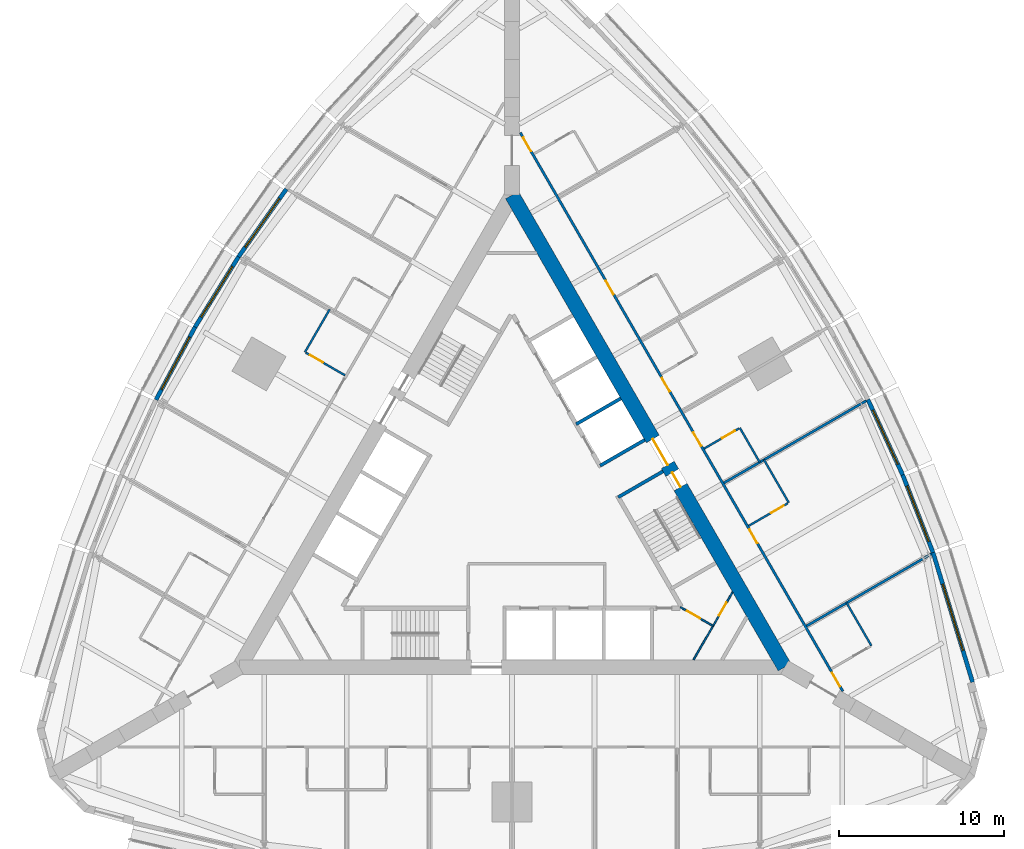
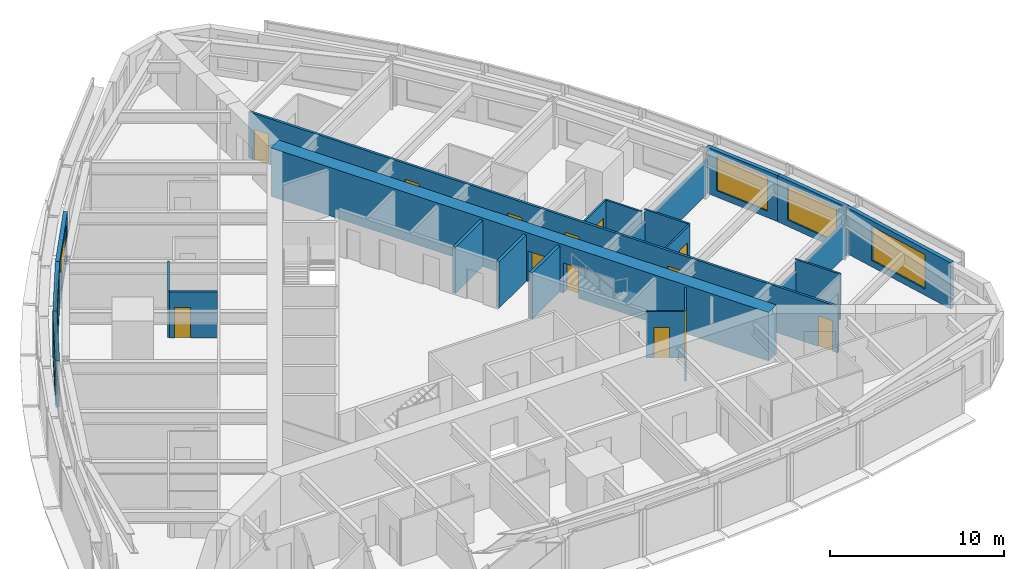
# One storey, part 11 of 14: 22 walls, 13 doors, 6 windows, 19 openings.
"""IFC4 building model written with IfcOpenShell, lengths in metres."""

from ifc_helpers import new_model, si_unit, direction, frame, frame_2d, origin, place, context, subcontext, project, spatial, rectangle, extrude, material, layer, layer_set, type_object, element, fill, save


model = new_model("IFC4")

# Units and contexts
model_context = context("Model", 3, precision=1e-05, world=origin(), true_north=direction((0.0, 1.0)))
body_context = subcontext(model_context, "Body", "Model", "MODEL_VIEW")
ifc_project = project(units=[si_unit("LENGTHUNIT", "METRE"), si_unit("AREAUNIT", "SQUARE_METRE"), si_unit("VOLUMEUNIT", "CUBIC_METRE"), si_unit("PLANEANGLEUNIT", "RADIAN"), si_unit("MASSUNIT", "GRAM", prefix="KILO")], contexts=[model_context])

# Site, building, storey
site_placement = place(None, origin())
site = spatial("IfcSite", under=ifc_project, at=site_placement, CompositionType="ELEMENT")
building_placement = place(site_placement, origin())
building = spatial("IfcBuilding", under=site, at=building_placement, Name="Trikona Tower", CompositionType="ELEMENT")
storey_placement = place(building_placement, frame((0.0, 0.0, 59.10009765625)))
storey = spatial("IfcBuildingStorey", under=building, at=storey_placement, Name="L14", CompositionType="ELEMENT", Elevation=59.10009765625)

# Walls
ifc_material_1 = material(Name="Metal stud and cement board", Category="gypsum")
ifc_layer_1 = layer(ifc_material_1, 0.1201171875)
ifc_layer_set_1 = layer_set([ifc_layer_1], Name="Bathroom wall 120")
wall_type_1 = type_object("IfcWallType", Name="Bathroom wall 120", PredefinedType="PLUMBINGWALL", material=ifc_layer_set_1)
for number, where, z_axis, x_axis, name in (
    (1, (21.75341796875, -8.225341796875, 0.0), (0.0, 0.0, 1.0), (-0.499990139034, 0.866031096941, 0.0), "Bathroom wall 1407"),
    (2, (16.75341796875, 0.434814453125, 0.0), (0.0, 0.0, 1.0), (-0.499990139034, 0.866031096941, 0.0), "Bathroom wall 1408"),
):
    element("IfcWall", number, at=place(storey_placement, frame(where, z_axis=z_axis, x_axis=x_axis)), inside=storey, type_object=wall_type_1, Name=name, PredefinedType="PLUMBINGWALL", context=body_context, shape_type="SweptSolid", body=[
        extrude(rectangle(XDim=3.0, YDim=0.1201171875, at=frame_2d((1.5, 0.0))), origin(), (0.0, 0.0, 1.0), 3.23486328125),
    ])

# Wall, opening, door
wall_1_placement = place(storey_placement, frame((14.32861328125, -0.965087890625, 0.0), z_axis=(0.0, 0.0, 1.0), x_axis=(0.866035715982, 0.499982138324, 0.0)))
wall_1 = element("IfcWall", 3, at=wall_1_placement, inside=storey, type_object=wall_type_1, Name="Bathroom wall 1408", PredefinedType="PLUMBINGWALL", context=body_context, shape_type="SweptSolid", body=[
    extrude(rectangle(XDim=2.73974609375, YDim=0.1201171875, at=frame_2d((1.369873046875, 0.0))), origin(), (0.0, 0.0, 1.0), 3.23486328125),
])
opening_1_placement = place(wall_1_placement, frame((1.550048828125, 0.0, 0.0)))
opening_1 = element("IfcOpeningElement", 4, at=opening_1_placement, cuts=wall_1, Name="Opening D2", PredefinedType="OPENING", context=body_context, shape_type="SweptSolid", body=[
    extrude(rectangle(XDim=0.89990234375, YDim=2.1298828125, at=frame_2d((0.449951171875, 1.06494140625))), frame((0.0, 0.070068359375, 0.0), z_axis=(0.0, -1.0, 0.0), x_axis=(1.0, 0.0, 0.0)), (0.0, 0.0, 1.0), 0.14013671875),
])
ifc_material_2 = material(Name="Steel door frame with solid-core timber leaf", Category="steel")
door_type_1 = type_object("IfcDoorType", Name="Bathroom door 900x2130", OperationType="SLIDING_TO_LEFT", PredefinedType="DOOR", material=ifc_material_2)
door_1_placement = place(opening_1_placement, origin())
door_1 = element("IfcDoor", 5, at=door_1_placement, inside=storey, type_object=door_type_1, Name="Bathroom door 1408", OperationType="SLIDING_TO_LEFT", OverallHeight=2.1298828125, OverallWidth=0.89990234375, PredefinedType="DOOR", context=body_context, shape_type="SweptSolid", body=[
    extrude(rectangle(XDim=0.89990234375, YDim=2.1298828125, at=frame_2d((0.449951171875, 1.06494140625))), frame((0.0, 0.02490234375, 0.0), z_axis=(0.0, -1.0, 0.0), x_axis=(1.0, 0.0, 0.0)), (0.0, 0.0, 1.0), 0.050048828125),
])
fill(opening_1, door_1)

# Wall
wall_2_placement = place(storey_placement, frame((14.993408203125, 2.883056640625, 0.0), z_axis=(0.0, 0.0, 1.0), x_axis=(-0.500001309137, 0.866024647952, 0.0)))
element("IfcWall", 6, at=wall_2_placement, inside=storey, type_object=wall_type_1, Name="Bathroom wall 1409", PredefinedType="PLUMBINGWALL", context=body_context, shape_type="SweptSolid", body=[
    extrude(rectangle(XDim=2.39990234375, YDim=0.1201171875, at=frame_2d((1.199951171875, 0.0))), origin(), (0.0, 0.0, 1.0), 3.23486328125),
])

# Wall, opening, door
wall_3_placement = place(storey_placement, frame((11.62841796875, 3.71142578125, 0.0), z_axis=(0.0, 0.0, 1.0), x_axis=(0.866048967903, 0.499959183527, 0.0)))
wall_3 = element("IfcWall", 7, at=wall_3_placement, inside=storey, type_object=wall_type_1, Name="Bathroom wall 1409", PredefinedType="PLUMBINGWALL", context=body_context, shape_type="SweptSolid", body=[
    extrude(rectangle(XDim=2.440185546875, YDim=0.1201171875, at=frame_2d((1.22021484375, 0.0))), origin(), (0.0, 0.0, 1.0), 3.23486328125),
])
opening_2_placement = place(wall_3_placement, frame((1.25, 0.0, 0.0)))
opening_2 = element("IfcOpeningElement", 8, at=opening_2_placement, cuts=wall_3, Name="Opening D2", PredefinedType="OPENING", context=body_context, shape_type="SweptSolid", body=[
    extrude(rectangle(XDim=0.89990234375, YDim=2.1298828125, at=frame_2d((0.449951171875, 1.06494140625))), frame((0.0, 0.070068359375, 0.0), z_axis=(0.0, -1.0, 0.0), x_axis=(1.0, 0.0, 0.0)), (0.0, 0.0, 1.0), 0.14013671875),
])
door_2_placement = place(opening_2_placement, origin())
door_2 = element("IfcDoor", 9, at=door_2_placement, inside=storey, type_object=door_type_1, Name="Bathroom door 1409", OperationType="SLIDING_TO_LEFT", OverallHeight=2.1298828125, OverallWidth=0.89990234375, PredefinedType="DOOR", context=body_context, shape_type="SweptSolid", body=[
    extrude(rectangle(XDim=0.89990234375, YDim=2.1298828125, at=frame_2d((0.449951171875, 1.06494140625))), frame((0.0, 0.02490234375, 0.0), z_axis=(0.0, -1.0, 0.0), x_axis=(1.0, 0.0, 0.0)), (0.0, 0.0, 1.0), 0.050048828125),
])
fill(opening_2, door_2)

# Wall
wall_4_placement = place(storey_placement, frame((-11.03271484375, 12.143310546875, 0.0), z_axis=(0.0, 0.0, 1.0), x_axis=(-0.499990139034, -0.866031096941, 0.0)))
element("IfcWall", 10, at=wall_4_placement, inside=storey, type_object=wall_type_1, Name="Bathroom wall 1415", PredefinedType="PLUMBINGWALL", context=body_context, shape_type="SweptSolid", body=[
    extrude(rectangle(XDim=3.0, YDim=0.1201171875, at=frame_2d((1.5, 0.0))), origin(), (0.0, 0.0, 1.0), 3.23486328125),
])

# Wall, opening, door
wall_5_placement = place(storey_placement, frame((-10.10791015625, 8.145263671875, 0.0), z_axis=(0.0, 0.0, 1.0), x_axis=(-0.866035715982, 0.499982138324, 0.0)))
wall_5 = element("IfcWall", 11, at=wall_5_placement, inside=storey, type_object=wall_type_1, Name="Bathroom wall 1415", PredefinedType="PLUMBINGWALL", context=body_context, shape_type="SweptSolid", body=[
    extrude(rectangle(XDim=2.73974609375, YDim=0.1201171875, at=frame_2d((1.369873046875, 0.0))), origin(), (0.0, 0.0, 1.0), 3.23486328125),
])
opening_3_placement = place(wall_5_placement, frame((1.550048828125, 0.0, 0.0)))
opening_3 = element("IfcOpeningElement", 12, at=opening_3_placement, cuts=wall_5, Name="Opening D2", PredefinedType="OPENING", context=body_context, shape_type="SweptSolid", body=[
    extrude(rectangle(XDim=0.89990234375, YDim=2.1298828125, at=frame_2d((0.449951171875, 1.06494140625))), frame((0.0, 0.070068359375, 0.0), z_axis=(0.0, -1.0, 0.0), x_axis=(1.0, 0.0, 0.0)), (0.0, 0.0, 1.0), 0.14013671875),
])
door_3_placement = place(opening_3_placement, origin())
door_3 = element("IfcDoor", 13, at=door_3_placement, inside=storey, type_object=door_type_1, Name="Bathroom door 1415", OperationType="SLIDING_TO_LEFT", OverallHeight=2.1298828125, OverallWidth=0.89990234375, PredefinedType="DOOR", context=body_context, shape_type="SweptSolid", body=[
    extrude(rectangle(XDim=0.89990234375, YDim=2.1298828125, at=frame_2d((0.449951171875, 1.06494140625))), frame((0.0, 0.02490234375, 0.0), z_axis=(0.0, -1.0, 0.0), x_axis=(1.0, 0.0, 0.0)), (0.0, 0.0, 1.0), 0.050048828125),
])
fill(opening_3, door_3)

# Wall, openings, doors
ifc_material_3 = material(Name="Concrete f'c 10000 psi", Category="concrete")
ifc_layer_2 = layer(ifc_material_3, 0.89990234375)
ifc_layer_set_2 = layer_set([ifc_layer_2], Name="Core wall 900")
wall_type_2 = type_object("IfcWallType", Name="Core wall 900", PredefinedType="SHEAR", material=ifc_layer_set_2)
wall_6_placement = place(storey_placement, frame((16.5, -9.5263671875, 0.0), z_axis=(0.0, 0.0, 1.0), x_axis=(-0.499999749417, 0.866025548458, 0.0)))
wall_6 = element("IfcWall", 14, at=wall_6_placement, inside=storey, type_object=wall_type_2, Name="Core wall B", PredefinedType="SHEAR", context=body_context, shape_type="SweptSolid", body=[
    extrude(rectangle(XDim=33.0, YDim=0.89990234375, at=frame_2d((16.5, 0.0))), origin(), (0.0, 0.0, 1.0), 3.39990234375),
])
opening_4_placement = place(wall_6_placement, frame((14.14990234375, 0.0, 0.0)))
opening_4 = element("IfcOpeningElement", 15, at=opening_4_placement, cuts=wall_6, Name="Opening D6", PredefinedType="OPENING", context=body_context, shape_type="SweptSolid", body=[
    extrude(rectangle(XDim=1.800048828125, YDim=2.1298828125, at=frame_2d((0.89990234375, 1.06494140625))), frame((0.0, 0.4599609375, 0.0), z_axis=(0.0, -1.0, 0.0), x_axis=(1.0, 0.0, 0.0)), (0.0, 0.0, 1.0), 0.919921875),
])
opening_5_placement = place(wall_6_placement, frame((12.60009765625, 0.0, 0.0)))
opening_5 = element("IfcOpeningElement", 16, at=opening_5_placement, cuts=wall_6, Name="Opening D5", PredefinedType="OPENING", context=body_context, shape_type="SweptSolid", body=[
    extrude(rectangle(XDim=1.0, YDim=2.1298828125, at=frame_2d((0.5, 1.06494140625))), frame((0.0, 0.4599609375, 0.0), z_axis=(0.0, -1.0, 0.0), x_axis=(1.0, 0.0, 0.0)), (0.0, 0.0, 1.0), 0.919921875),
])
ifc_material_4 = material(Name="Hollow metal door and frame", Category="steel")
door_type_2 = type_object("IfcDoorType", Name="Lobby door pair 1800x2130", OperationType="DOUBLE_DOOR_SINGLE_SWING", PredefinedType="DOOR", material=ifc_material_4)
door_4_placement = place(opening_4_placement, origin())
door_4 = element("IfcDoor", 17, at=door_4_placement, inside=storey, type_object=door_type_2, Name="Lift lobby door B", OperationType="DOUBLE_DOOR_SINGLE_SWING", OverallHeight=2.1298828125, OverallWidth=1.800048828125, PredefinedType="DOOR", context=body_context, shape_type="SweptSolid", body=[
    extrude(rectangle(XDim=1.800048828125, YDim=2.1298828125, at=frame_2d((0.89990234375, 1.06494140625))), frame((0.0, 0.02490234375, 0.0), z_axis=(0.0, -1.0, 0.0), x_axis=(1.0, 0.0, 0.0)), (0.0, 0.0, 1.0), 0.050048828125),
])
fill(opening_4, door_4)
ifc_material_5 = material(Name="Hollow metal door and frame", Category="steel")
door_type_3 = type_object("IfcDoorType", Name="Stair door 1000x2130", OperationType="SINGLE_SWING_LEFT", PredefinedType="DOOR", material=ifc_material_5)
door_5_placement = place(opening_5_placement, origin())
door_5 = element("IfcDoor", 18, at=door_5_placement, inside=storey, type_object=door_type_3, Name="Stair B door", OperationType="SINGLE_SWING_RIGHT", OverallHeight=2.1298828125, OverallWidth=1.0, PredefinedType="DOOR", context=body_context, shape_type="SweptSolid", body=[
    extrude(rectangle(XDim=1.0, YDim=2.1298828125, at=frame_2d((0.5, 1.06494140625))), frame((0.0, 0.02490234375, 0.0), z_axis=(0.0, -1.0, 0.0), x_axis=(1.0, 0.0, 0.0)), (0.0, 0.0, 1.0), 0.050048828125),
])
fill(opening_5, door_5)

ifc_material_6 = material(Name="Metal stud and gypsum board, 1-hour", Category="gypsum")
ifc_layer_3 = layer(ifc_material_6, 0.14990234375)
ifc_layer_set_3 = layer_set([ifc_layer_3], Name="Corridor wall 150")
wall_type_3 = type_object("IfcWallType", Name="Corridor wall 150", PredefinedType="PARTITIONING", material=ifc_layer_set_3)
wall_7_placement = place(storey_placement, frame((20.027099609375, -10.9853515625, 0.0), z_axis=(0.0, 0.0, 1.0), x_axis=(-0.500001677587, 0.866024435227, 0.0)))
wall_7 = element("IfcWall", 19, at=wall_7_placement, inside=storey, type_object=wall_type_3, Name="Corridor wall L14-2", PredefinedType="PARTITIONING", context=body_context, shape_type="SweptSolid", body=[
    extrude(rectangle(XDim=39.053955078125, YDim=0.14990234375, at=frame_2d((19.52685546875, 0.0))), origin(), (0.0, 0.0, 1.0), 3.23486328125),
])
opening_6_placement = place(wall_7_placement, frame((0.35205078125, 0.0, 0.0)))
opening_6 = element("IfcOpeningElement", 20, at=opening_6_placement, cuts=wall_7, Name="Opening D1", PredefinedType="OPENING", context=body_context, shape_type="SweptSolid", body=[
    extrude(rectangle(XDim=0.949951171875, YDim=2.1298828125, at=frame_2d((0.47509765625, 1.06494140625))), frame((0.0, 0.0849609375, 0.0), z_axis=(0.0, -1.0, 0.0), x_axis=(1.0, 0.0, 0.0)), (0.0, 0.0, 1.0), 0.169921875),
])
opening_7_placement = place(wall_7_placement, frame((10.35205078125, 0.0, 0.0)))
opening_7 = element("IfcOpeningElement", 21, at=opening_7_placement, cuts=wall_7, Name="Opening D1", PredefinedType="OPENING", context=body_context, shape_type="SweptSolid", body=[
    extrude(rectangle(XDim=0.949951171875, YDim=2.1298828125, at=frame_2d((0.47509765625, 1.06494140625))), frame((0.0, 0.0849609375, 0.0), z_axis=(0.0, -1.0, 0.0), x_axis=(1.0, 0.0, 0.0)), (0.0, 0.0, 1.0), 0.169921875),
])
opening_8_placement = place(wall_7_placement, frame((17.152099609375, 0.0, 0.0)))
opening_8 = element("IfcOpeningElement", 22, at=opening_8_placement, cuts=wall_7, Name="Opening D1", PredefinedType="OPENING", context=body_context, shape_type="SweptSolid", body=[
    extrude(rectangle(XDim=0.949951171875, YDim=2.1298828125, at=frame_2d((0.47509765625, 1.06494140625))), frame((0.0, 0.0849609375, 0.0), z_axis=(0.0, -1.0, 0.0), x_axis=(1.0, 0.0, 0.0)), (0.0, 0.0, 1.0), 0.169921875),
])
opening_9_placement = place(wall_7_placement, frame((20.951904296875, 0.0, 0.0)))
opening_9 = element("IfcOpeningElement", 23, at=opening_9_placement, cuts=wall_7, Name="Opening D1", PredefinedType="OPENING", context=body_context, shape_type="SweptSolid", body=[
    extrude(rectangle(XDim=0.949951171875, YDim=2.1298828125, at=frame_2d((0.47509765625, 1.06494140625))), frame((0.0, 0.0849609375, 0.0), z_axis=(0.0, -1.0, 0.0), x_axis=(1.0, 0.0, 0.0)), (0.0, 0.0, 1.0), 0.169921875),
])
opening_10_placement = place(wall_7_placement, frame((27.751953125, 0.0, 0.0)))
opening_10 = element("IfcOpeningElement", 24, at=opening_10_placement, cuts=wall_7, Name="Opening D1", PredefinedType="OPENING", context=body_context, shape_type="SweptSolid", body=[
    extrude(rectangle(XDim=0.949951171875, YDim=2.1298828125, at=frame_2d((0.47509765625, 1.06494140625))), frame((0.0, 0.0849609375, 0.0), z_axis=(0.0, -1.0, 0.0), x_axis=(1.0, 0.0, 0.0)), (0.0, 0.0, 1.0), 0.169921875),
])
opening_11_placement = place(wall_7_placement, frame((37.751953125, 0.0, 0.0)))
opening_11 = element("IfcOpeningElement", 25, at=opening_11_placement, cuts=wall_7, Name="Opening D1", PredefinedType="OPENING", context=body_context, shape_type="SweptSolid", body=[
    extrude(rectangle(XDim=0.949951171875, YDim=2.1298828125, at=frame_2d((0.47509765625, 1.06494140625))), frame((0.0, 0.0849609375, 0.0), z_axis=(0.0, -1.0, 0.0), x_axis=(1.0, 0.0, 0.0)), (0.0, 0.0, 1.0), 0.169921875),
])
ifc_material_7 = material(Name="Steel door frame with solid-core timber leaf", Category="steel")
door_type_4 = type_object("IfcDoorType", Name="Guest room door 950x2130", OperationType="SINGLE_SWING_LEFT", PredefinedType="DOOR", material=ifc_material_7)
door_6_placement = place(opening_6_placement, origin())
door_6 = element("IfcDoor", 26, at=door_6_placement, inside=storey, type_object=door_type_4, Name="Room door 1407", OperationType="SINGLE_SWING_LEFT", OverallHeight=2.1298828125, OverallWidth=0.949951171875, PredefinedType="DOOR", context=body_context, shape_type="SweptSolid", body=[
    extrude(rectangle(XDim=0.949951171875, YDim=2.1298828125, at=frame_2d((0.47509765625, 1.06494140625))), frame((0.0, 0.02490234375, 0.0), z_axis=(0.0, -1.0, 0.0), x_axis=(1.0, 0.0, 0.0)), (0.0, 0.0, 1.0), 0.050048828125),
])
fill(opening_6, door_6)
door_7_placement = place(opening_7_placement, origin())
door_7 = element("IfcDoor", 27, at=door_7_placement, inside=storey, type_object=door_type_4, Name="Room door 1408", OperationType="SINGLE_SWING_RIGHT", OverallHeight=2.1298828125, OverallWidth=0.949951171875, PredefinedType="DOOR", context=body_context, shape_type="SweptSolid", body=[
    extrude(rectangle(XDim=0.949951171875, YDim=2.1298828125, at=frame_2d((0.47509765625, 1.06494140625))), frame((0.0, 0.02490234375, 0.0), z_axis=(0.0, -1.0, 0.0), x_axis=(1.0, 0.0, 0.0)), (0.0, 0.0, 1.0), 0.050048828125),
])
fill(opening_7, door_7)
door_8_placement = place(opening_8_placement, origin())
door_8 = element("IfcDoor", 28, at=door_8_placement, inside=storey, type_object=door_type_4, Name="Room door 1409", OperationType="SINGLE_SWING_LEFT", OverallHeight=2.1298828125, OverallWidth=0.949951171875, PredefinedType="DOOR", context=body_context, shape_type="SweptSolid", body=[
    extrude(rectangle(XDim=0.949951171875, YDim=2.1298828125, at=frame_2d((0.47509765625, 1.06494140625))), frame((0.0, 0.02490234375, 0.0), z_axis=(0.0, -1.0, 0.0), x_axis=(1.0, 0.0, 0.0)), (0.0, 0.0, 1.0), 0.050048828125),
])
fill(opening_8, door_8)
door_9_placement = place(opening_9_placement, origin())
door_9 = element("IfcDoor", 29, at=door_9_placement, inside=storey, type_object=door_type_4, Name="Room door 1410", OperationType="SINGLE_SWING_RIGHT", OverallHeight=2.1298828125, OverallWidth=0.949951171875, PredefinedType="DOOR", context=body_context, shape_type="SweptSolid", body=[
    extrude(rectangle(XDim=0.949951171875, YDim=2.1298828125, at=frame_2d((0.47509765625, 1.06494140625))), frame((0.0, 0.02490234375, 0.0), z_axis=(0.0, -1.0, 0.0), x_axis=(1.0, 0.0, 0.0)), (0.0, 0.0, 1.0), 0.050048828125),
])
fill(opening_9, door_9)
door_10_placement = place(opening_10_placement, origin())
door_10 = element("IfcDoor", 30, at=door_10_placement, inside=storey, type_object=door_type_4, Name="Room door 1411", OperationType="SINGLE_SWING_LEFT", OverallHeight=2.1298828125, OverallWidth=0.949951171875, PredefinedType="DOOR", context=body_context, shape_type="SweptSolid", body=[
    extrude(rectangle(XDim=0.949951171875, YDim=2.1298828125, at=frame_2d((0.47509765625, 1.06494140625))), frame((0.0, 0.02490234375, 0.0), z_axis=(0.0, -1.0, 0.0), x_axis=(1.0, 0.0, 0.0)), (0.0, 0.0, 1.0), 0.050048828125),
])
fill(opening_10, door_10)
door_11_placement = place(opening_11_placement, origin())
door_11 = element("IfcDoor", 31, at=door_11_placement, inside=storey, type_object=door_type_4, Name="Room door 1412", OperationType="SINGLE_SWING_RIGHT", OverallHeight=2.1298828125, OverallWidth=0.949951171875, PredefinedType="DOOR", context=body_context, shape_type="SweptSolid", body=[
    extrude(rectangle(XDim=0.949951171875, YDim=2.1298828125, at=frame_2d((0.47509765625, 1.06494140625))), frame((0.0, 0.02490234375, 0.0), z_axis=(0.0, -1.0, 0.0), x_axis=(1.0, 0.0, 0.0)), (0.0, 0.0, 1.0), 0.050048828125),
])
fill(opening_11, door_11)

# Wall, opening, window
ifc_material_8 = material(Name="Insulated precast concrete spandrel panel", Category="concrete")
ifc_layer_4 = layer(ifc_material_8, 0.25)
ifc_layer_set_4 = layer_set([ifc_layer_4], Name="Inner skin wall 250")
wall_type_4 = type_object("IfcWallType", Name="Inner skin wall 250", PredefinedType="STANDARD", material=ifc_layer_set_4)
wall_8_placement = place(storey_placement, frame((27.88037109375, -10.4287109375, 0.0), z_axis=(0.0, 0.0, 1.0), x_axis=(-0.2919790669, 0.956424709265, 0.0)))
wall_8 = element("IfcWall", 32, at=wall_8_placement, inside=storey, type_object=wall_type_4, Name="External wall L14-12", PredefinedType="STANDARD", context=body_context, shape_type="SweptSolid", body=[
    extrude(rectangle(XDim=8.211181640625, YDim=0.25, at=frame_2d((4.10546875, 0.0))), origin(), (0.0, 0.0, 1.0), 3.23486328125),
])
opening_12_placement = place(wall_8_placement, frame((2.005615234375, 0.0, 0.449951171875)))
opening_12 = element("IfcOpeningElement", 33, at=opening_12_placement, cuts=wall_8, Name="Opening W4224", PredefinedType="OPENING", context=body_context, shape_type="SweptSolid", body=[
    extrude(rectangle(XDim=4.199951171875, YDim=2.39990234375, at=frame_2d((2.10009765625, 1.199951171875))), frame((0.0, 0.135009765625, 0.0), z_axis=(0.0, -1.0, 0.0), x_axis=(1.0, 0.0, 0.0)), (0.0, 0.0, 1.0), 0.27001953125),
])
ifc_material_9 = material(Name="Aluminium-framed double glazing", Category="aluminium")
window_type_1 = type_object("IfcWindowType", Name="Window 4200x2400", PartitioningType="SINGLE_PANEL", PredefinedType="WINDOW", material=ifc_material_9)
window_1_placement = place(opening_12_placement, origin())
window_1 = element("IfcWindow", 34, at=window_1_placement, inside=storey, type_object=window_type_1, Name="Window 1407", OverallHeight=2.39990234375, OverallWidth=4.199951171875, PartitioningType="SINGLE_PANEL", PredefinedType="WINDOW", context=body_context, shape_type="SweptSolid", body=[
    extrude(rectangle(XDim=4.199951171875, YDim=2.39990234375, at=frame_2d((2.10009765625, 1.199951171875))), frame((0.0, 0.030029296875, 0.0), z_axis=(0.0, -1.0, 0.0), x_axis=(1.0, 0.0, 0.0)), (0.0, 0.0, 1.0), 0.06005859375),
])
fill(opening_12, window_1)

wall_9_placement = place(storey_placement, frame((25.486083984375, -2.58447265625, 0.0), z_axis=(0.0, 0.0, 1.0), x_axis=(-0.364013463868, 0.931393685894, 0.0)))
wall_9 = element("IfcWall", 35, at=wall_9_placement, inside=storey, type_object=wall_type_4, Name="External wall L14-13", PredefinedType="STANDARD", context=body_context, shape_type="SweptSolid", body=[
    extrude(rectangle(XDim=5.0576171875, YDim=0.25, at=frame_2d((2.52880859375, 0.0))), origin(), (0.0, 0.0, 1.0), 3.23486328125),
])
opening_13_placement = place(wall_9_placement, frame((0.728759765625, 0.0, 0.449951171875)))
opening_13 = element("IfcOpeningElement", 36, at=opening_13_placement, cuts=wall_9, Name="Opening W3624", PredefinedType="OPENING", context=body_context, shape_type="SweptSolid", body=[
    extrude(rectangle(XDim=3.60009765625, YDim=2.39990234375, at=frame_2d((1.800048828125, 1.199951171875))), frame((0.0, 0.135009765625, 0.0), z_axis=(0.0, -1.0, 0.0), x_axis=(1.0, 0.0, 0.0)), (0.0, 0.0, 1.0), 0.27001953125),
])
ifc_material_10 = material(Name="Aluminium-framed double glazing", Category="aluminium")
window_type_2 = type_object("IfcWindowType", Name="Window 3600x2400", PartitioningType="SINGLE_PANEL", PredefinedType="WINDOW", material=ifc_material_10)
window_2_placement = place(opening_13_placement, origin())
window_2 = element("IfcWindow", 37, at=window_2_placement, inside=storey, type_object=window_type_2, Name="Window 1408", OverallHeight=2.39990234375, OverallWidth=3.60009765625, PartitioningType="SINGLE_PANEL", PredefinedType="WINDOW", context=body_context, shape_type="SweptSolid", body=[
    extrude(rectangle(XDim=3.60009765625, YDim=2.39990234375, at=frame_2d((1.800048828125, 1.199951171875))), frame((0.0, 0.030029296875, 0.0), z_axis=(0.0, -1.0, 0.0), x_axis=(1.0, 0.0, 0.0)), (0.0, 0.0, 1.0), 0.06005859375),
])
fill(opening_13, window_2)

wall_10_placement = place(storey_placement, frame((23.64794921875, 2.119384765625, 0.0), z_axis=(0.0, 0.0, 1.0), x_axis=(-0.419203100754, 0.907892482796, 0.0)))
wall_10 = element("IfcWall", 38, at=wall_10_placement, inside=storey, type_object=wall_type_4, Name="External wall L14-14", PredefinedType="STANDARD", context=body_context, shape_type="SweptSolid", body=[
    extrude(rectangle(XDim=5.020751953125, YDim=0.25, at=frame_2d((2.51025390625, 0.0))), origin(), (0.0, 0.0, 1.0), 3.23486328125),
])
opening_14_placement = place(wall_10_placement, frame((0.71044921875, 0.0, 0.449951171875)))
opening_14 = element("IfcOpeningElement", 39, at=opening_14_placement, cuts=wall_10, Name="Opening W3624", PredefinedType="OPENING", context=body_context, shape_type="SweptSolid", body=[
    extrude(rectangle(XDim=3.60009765625, YDim=2.39990234375, at=frame_2d((1.800048828125, 1.199951171875))), frame((0.0, 0.135009765625, 0.0), z_axis=(0.0, -1.0, 0.0), x_axis=(1.0, 0.0, 0.0)), (0.0, 0.0, 1.0), 0.27001953125),
])
window_3_placement = place(opening_14_placement, origin())
window_3 = element("IfcWindow", 40, at=window_3_placement, inside=storey, type_object=window_type_2, Name="Window 1408", OverallHeight=2.39990234375, OverallWidth=3.60009765625, PartitioningType="SINGLE_PANEL", PredefinedType="WINDOW", context=body_context, shape_type="SweptSolid", body=[
    extrude(rectangle(XDim=3.60009765625, YDim=2.39990234375, at=frame_2d((1.800048828125, 1.199951171875))), frame((0.0, 0.030029296875, 0.0), z_axis=(0.0, -1.0, 0.0), x_axis=(1.0, 0.0, 0.0)), (0.0, 0.0, 1.0), 0.06005859375),
])
fill(opening_14, window_3)

wall_11_placement = place(storey_placement, frame((-13.659423828125, 19.420166015625, 0.0), z_axis=(0.0, 0.0, 1.0), x_axis=(-0.5766431066, -0.81699616132, 0.0)))
wall_11 = element("IfcWall", 41, at=wall_11_placement, inside=storey, type_object=wall_type_4, Name="External wall L14-26", PredefinedType="STANDARD", context=body_context, shape_type="SweptSolid", body=[
    extrude(rectangle(XDim=5.02099609375, YDim=0.25, at=frame_2d((2.510498046875, 0.0))), origin(), (0.0, 0.0, 1.0), 3.23486328125),
])
opening_15_placement = place(wall_11_placement, frame((0.71044921875, 0.0, 0.449951171875)))
opening_15 = element("IfcOpeningElement", 42, at=opening_15_placement, cuts=wall_11, Name="Opening W3624", PredefinedType="OPENING", context=body_context, shape_type="SweptSolid", body=[
    extrude(rectangle(XDim=3.60009765625, YDim=2.39990234375, at=frame_2d((1.800048828125, 1.199951171875))), frame((0.0, 0.135009765625, 0.0), z_axis=(0.0, -1.0, 0.0), x_axis=(1.0, 0.0, 0.0)), (0.0, 0.0, 1.0), 0.27001953125),
])
window_4_placement = place(opening_15_placement, origin())
window_4 = element("IfcWindow", 43, at=window_4_placement, inside=storey, type_object=window_type_2, Name="Window 1414", OverallHeight=2.39990234375, OverallWidth=3.60009765625, PartitioningType="SINGLE_PANEL", PredefinedType="WINDOW", context=body_context, shape_type="SweptSolid", body=[
    extrude(rectangle(XDim=3.60009765625, YDim=2.39990234375, at=frame_2d((1.800048828125, 1.199951171875))), frame((0.0, 0.030029296875, 0.0), z_axis=(0.0, -1.0, 0.0), x_axis=(1.0, 0.0, 0.0)), (0.0, 0.0, 1.0), 0.06005859375),
])
fill(opening_15, window_4)

wall_12_placement = place(storey_placement, frame((-16.550537109375, 15.324462890625, 0.0), z_axis=(0.0, 0.0, 1.0), x_axis=(-0.526132807704, -0.850402415717, 0.0)))
wall_12 = element("IfcWall", 44, at=wall_12_placement, inside=storey, type_object=wall_type_4, Name="External wall L14-27", PredefinedType="STANDARD", context=body_context, shape_type="SweptSolid", body=[
    extrude(rectangle(XDim=5.002197265625, YDim=0.25, at=frame_2d((2.5009765625, 0.0))), origin(), (0.0, 0.0, 1.0), 3.23486328125),
])
opening_16_placement = place(wall_12_placement, frame((0.701171875, 0.0, 0.449951171875)))
opening_16 = element("IfcOpeningElement", 45, at=opening_16_placement, cuts=wall_12, Name="Opening W3624", PredefinedType="OPENING", context=body_context, shape_type="SweptSolid", body=[
    extrude(rectangle(XDim=3.60009765625, YDim=2.39990234375, at=frame_2d((1.800048828125, 1.199951171875))), frame((0.0, 0.135009765625, 0.0), z_axis=(0.0, -1.0, 0.0), x_axis=(1.0, 0.0, 0.0)), (0.0, 0.0, 1.0), 0.27001953125),
])
window_5_placement = place(opening_16_placement, origin())
window_5 = element("IfcWindow", 46, at=window_5_placement, inside=storey, type_object=window_type_2, Name="Window 1415", OverallHeight=2.39990234375, OverallWidth=3.60009765625, PartitioningType="SINGLE_PANEL", PredefinedType="WINDOW", context=body_context, shape_type="SweptSolid", body=[
    extrude(rectangle(XDim=3.60009765625, YDim=2.39990234375, at=frame_2d((1.800048828125, 1.199951171875))), frame((0.0, 0.030029296875, 0.0), z_axis=(0.0, -1.0, 0.0), x_axis=(1.0, 0.0, 0.0)), (0.0, 0.0, 1.0), 0.06005859375),
])
fill(opening_16, window_5)

wall_13_placement = place(storey_placement, frame((-19.178466796875, 11.0771484375, 0.0), z_axis=(0.0, 0.0, 1.0), x_axis=(-0.473412820489, -0.880840678782, 0.0)))
wall_13 = element("IfcWall", 47, at=wall_13_placement, inside=storey, type_object=wall_type_4, Name="External wall L14-28", PredefinedType="STANDARD", context=body_context, shape_type="SweptSolid", body=[
    extrude(rectangle(XDim=5.00244140625, YDim=0.25, at=frame_2d((2.501220703125, 0.0))), origin(), (0.0, 0.0, 1.0), 3.23486328125),
])
opening_17_placement = place(wall_13_placement, frame((0.701171875, 0.0, 0.449951171875)))
opening_17 = element("IfcOpeningElement", 48, at=opening_17_placement, cuts=wall_13, Name="Opening W3624", PredefinedType="OPENING", context=body_context, shape_type="SweptSolid", body=[
    extrude(rectangle(XDim=3.60009765625, YDim=2.39990234375, at=frame_2d((1.800048828125, 1.199951171875))), frame((0.0, 0.135009765625, 0.0), z_axis=(0.0, -1.0, 0.0), x_axis=(1.0, 0.0, 0.0)), (0.0, 0.0, 1.0), 0.27001953125),
])
window_6_placement = place(opening_17_placement, origin())
window_6 = element("IfcWindow", 49, at=window_6_placement, inside=storey, type_object=window_type_2, Name="Window 1415", OverallHeight=2.39990234375, OverallWidth=3.60009765625, PartitioningType="SINGLE_PANEL", PredefinedType="WINDOW", context=body_context, shape_type="SweptSolid", body=[
    extrude(rectangle(XDim=3.60009765625, YDim=2.39990234375, at=frame_2d((1.800048828125, 1.199951171875))), frame((0.0, 0.030029296875, 0.0), z_axis=(0.0, -1.0, 0.0), x_axis=(1.0, 0.0, 0.0)), (0.0, 0.0, 1.0), 0.06005859375),
])
fill(opening_17, window_6)

# Walls
ifc_material_11 = material(Name="Metal stud and gypsum board, 1-hour acoustic", Category="gypsum")
ifc_layer_5 = layer(ifc_material_11, 0.14990234375)
ifc_layer_set_5 = layer_set([ifc_layer_5], Name="Party wall 150")
wall_type_5 = type_object("IfcWallType", Name="Party wall 150", PredefinedType="PARTITIONING", material=ifc_layer_set_5)
wall_14_placement = place(storey_placement, frame((17.82861328125, -7.027099609375, 0.0), z_axis=(0.0, 0.0, 1.0), x_axis=(0.866032659912, 0.499987431809, 0.0)))
element("IfcWall", 50, at=wall_14_placement, inside=storey, type_object=wall_type_5, Name="Partition L14 F2 u-15", PredefinedType="PARTITIONING", context=body_context, shape_type="SweptSolid", body=[
    extrude(rectangle(XDim=8.719970703125, YDim=0.14990234375, at=frame_2d((4.35986328125, 0.0))), origin(), (0.0, 0.0, 1.0), 2.38916015625),
])
wall_15_placement = place(storey_placement, frame((12.82861328125, 1.633056640625, 0.0), z_axis=(0.0, 0.0, 1.0), x_axis=(0.866026934769, 0.499997348248, 0.0)))
element("IfcWall", 51, at=wall_15_placement, inside=storey, type_object=wall_type_5, Name="Partition L14 F2 u-5", PredefinedType="PARTITIONING", context=body_context, shape_type="SweptSolid", body=[
    extrude(rectangle(XDim=9.94287109375, YDim=0.14990234375, at=frame_2d((4.971435546875, 0.0))), origin(), (0.0, 0.0, 1.0), 2.38916015625),
])
ifc_material_12 = material(Name="Concrete f'c 8000 psi", Category="concrete")
ifc_layer_6 = layer(ifc_material_12, 0.199951171875)
ifc_layer_set_6 = layer_set([ifc_layer_6], Name="Shaft wall 200")
wall_type_6 = type_object("IfcWallType", Name="Shaft wall 200", PredefinedType="SOLIDWALL", material=ifc_layer_set_6)
for number, where, z_axis, x_axis, name in (
    (52, (5.3291015625, 2.672607421875, 0.0), (0.0, 0.0, 1.0), (0.866022959057, 0.500004234368, 0.0), "Shaft wall B3"),
    (53, (3.87890625, 5.18408203125, 0.0), (0.0, 0.0, 1.0), (0.866022959057, 0.500004234368, 0.0), "Shaft wall B4"),
):
    element("IfcWall", number, at=place(storey_placement, frame(where, z_axis=z_axis, x_axis=x_axis)), inside=storey, type_object=wall_type_6, Name=name, PredefinedType="SOLIDWALL", context=body_context, shape_type="SweptSolid", body=[
        extrude(rectangle(XDim=3.125, YDim=0.199951171875, at=frame_2d((1.5625, 0.0))), origin(), (0.0, 0.0, 1.0), 3.23486328125),
    ])
ifc_material_13 = material(Name="Concrete f'c 8000 psi", Category="concrete")
ifc_layer_7 = layer(ifc_material_13, 0.199951171875)
ifc_layer_set_7 = layer_set([ifc_layer_7], Name="Shaft wall 200 load-bearing")
wall_type_7 = type_object("IfcWallType", Name="Shaft wall 200 load-bearing", PredefinedType="SOLIDWALL", material=ifc_layer_set_7)
wall_16_placement = place(storey_placement, frame((6.428955078125, 0.767333984375, 0.0), z_axis=(0.0, 0.0, 1.0), x_axis=(0.866022959057, 0.500004234368, 0.0)))
element("IfcWall", 54, at=wall_16_placement, inside=storey, type_object=wall_type_7, Name="Shaft wall B2", PredefinedType="SOLIDWALL", context=body_context, shape_type="SweptSolid", body=[
    extrude(rectangle(XDim=3.125, YDim=0.199951171875, at=frame_2d((1.5625, 0.0))), origin(), (0.0, 0.0, 1.0), 3.23486328125),
])

# Wall, opening, door
ifc_material_14 = material(Name="Metal stud and gypsum board, acoustic", Category="gypsum")
ifc_layer_8 = layer(ifc_material_14, 0.10009765625)
ifc_layer_set_8 = layer_set([ifc_layer_8], Name="Suite partition 100")
wall_type_8 = type_object("IfcWallType", Name="Suite partition 100", PredefinedType="PARTITIONING", material=ifc_layer_set_8)
wall_17_placement = place(storey_placement, frame((13.353515625, -4.976318359375, 0.0), z_axis=(0.0, 0.0, 1.0), x_axis=(-0.499999210213, -0.866025859768, 0.0)))
wall_17 = element("IfcWall", 55, at=wall_17_placement, inside=storey, type_object=wall_type_8, Name="Store partition L14-RS1", PredefinedType="PARTITIONING", context=body_context, shape_type="SweptSolid", body=[
    extrude(rectangle(XDim=4.734375, YDim=0.10009765625, at=frame_2d((2.3671875, 0.0))), origin(), (0.0, 0.0, 1.0), 3.23486328125),
])
opening_18_placement = place(wall_17_placement, frame((0.733642578125, 0.0, 0.0)))
opening_18 = element("IfcOpeningElement", 56, at=opening_18_placement, cuts=wall_17, Name="Opening D15", PredefinedType="OPENING", context=body_context, shape_type="SweptSolid", body=[
    extrude(rectangle(XDim=0.89990234375, YDim=2.1298828125, at=frame_2d((0.449951171875, 1.06494140625))), frame((0.0, 0.06005859375, 0.0), z_axis=(0.0, -1.0, 0.0), x_axis=(1.0, 0.0, 0.0)), (0.0, 0.0, 1.0), 0.1201171875),
])
ifc_material_15 = material(Name="Steel door frame with solid-core timber leaf", Category="steel")
door_type_5 = type_object("IfcDoorType", Name="Store door 900x2130", OperationType="SINGLE_SWING_LEFT", PredefinedType="DOOR", material=ifc_material_15)
door_12_placement = place(opening_18_placement, origin())
door_12 = element("IfcDoor", 57, at=door_12_placement, inside=storey, type_object=door_type_5, Name="Door Storage STO", OperationType="SINGLE_SWING_LEFT", OverallHeight=2.1298828125, OverallWidth=0.89990234375, PredefinedType="DOOR", context=body_context, shape_type="SweptSolid", body=[
    extrude(rectangle(XDim=0.89990234375, YDim=2.1298828125, at=frame_2d((0.449951171875, 1.06494140625))), frame((0.0, 0.02490234375, 0.0), z_axis=(0.0, -1.0, 0.0), x_axis=(1.0, 0.0, 0.0)), (0.0, 0.0, 1.0), 0.050048828125),
])
fill(opening_18, door_12)

wall_18_placement = place(storey_placement, frame((12.169921875, -7.0263671875, 0.0), z_axis=(0.0, 0.0, 1.0), x_axis=(-0.866015833478, 0.50001657589, 0.0)))
wall_18 = element("IfcWall", 58, at=wall_18_placement, inside=storey, type_object=wall_type_8, Name="Store partition L14-RS1", PredefinedType="PARTITIONING", context=body_context, shape_type="SweptSolid", body=[
    extrude(rectangle(XDim=2.275390625, YDim=0.10009765625, at=frame_2d((1.1376953125, 0.0))), origin(), (0.0, 0.0, 1.0), 3.23486328125),
])
opening_19_placement = place(wall_18_placement, frame((0.9150390625, 0.0, 0.0)))
opening_19 = element("IfcOpeningElement", 59, at=opening_19_placement, cuts=wall_18, Name="Opening D15", PredefinedType="OPENING", context=body_context, shape_type="SweptSolid", body=[
    extrude(rectangle(XDim=0.89990234375, YDim=2.1298828125, at=frame_2d((0.449951171875, 1.06494140625))), frame((0.0, 0.06005859375, 0.0), z_axis=(0.0, -1.0, 0.0), x_axis=(1.0, 0.0, 0.0)), (0.0, 0.0, 1.0), 0.1201171875),
])
door_13_placement = place(opening_19_placement, origin())
door_13 = element("IfcDoor", 60, at=door_13_placement, inside=storey, type_object=door_type_5, Name="Door Luggage store LUG", OperationType="SINGLE_SWING_RIGHT", OverallHeight=2.1298828125, OverallWidth=0.89990234375, PredefinedType="DOOR", context=body_context, shape_type="SweptSolid", body=[
    extrude(rectangle(XDim=0.89990234375, YDim=2.1298828125, at=frame_2d((0.449951171875, 1.06494140625))), frame((0.0, 0.02490234375, 0.0), z_axis=(0.0, -1.0, 0.0), x_axis=(1.0, 0.0, 0.0)), (0.0, 0.0, 1.0), 0.050048828125),
])
fill(opening_19, door_13)

save(model, "model.ifc")
